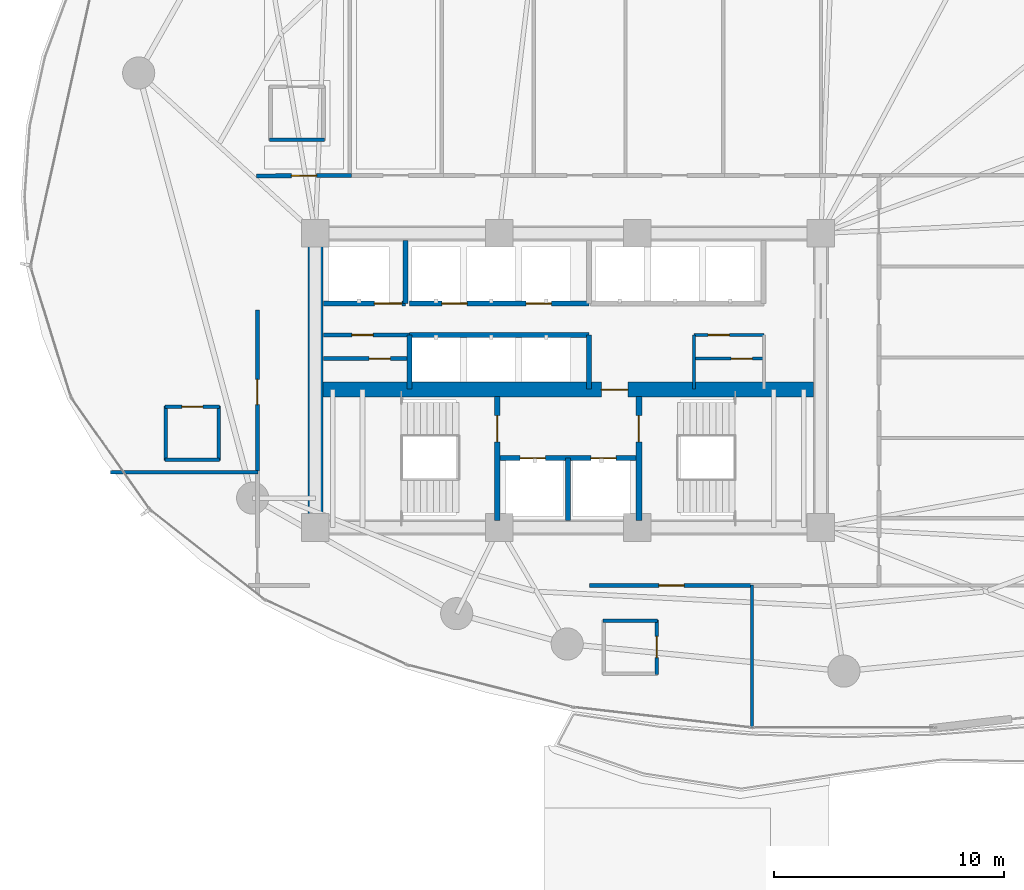
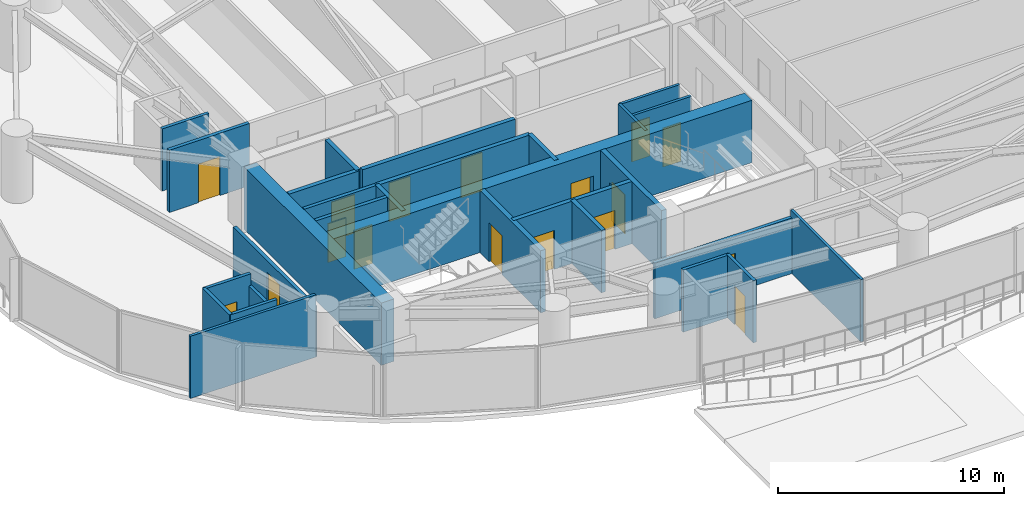
# One storey, part 25 of 32: 29 walls, 17 doors, 17 openings.
"""IFC4 building model written with IfcOpenShell, lengths in metres."""

from ifc_helpers import new_model, si_unit, direction, frame, frame_2d, origin, place, context, subcontext, project, spatial, rectangle, extrude, material, layer, layer_set, type_object, element, fill, save


model = new_model("IFC4")

# Units and contexts
model_context = context("Model", 3, precision=1e-05, world=origin(), true_north=direction((0.0, 1.0)))
body_context = subcontext(model_context, "Body", "Model", "MODEL_VIEW")
ifc_project = project(units=[si_unit("LENGTHUNIT", "METRE"), si_unit("AREAUNIT", "SQUARE_METRE"), si_unit("VOLUMEUNIT", "CUBIC_METRE"), si_unit("PLANEANGLEUNIT", "RADIAN"), si_unit("MASSUNIT", "GRAM", prefix="KILO")], contexts=[model_context])

# Site, building, storey
site_placement = place(None, origin())
site = spatial("IfcSite", under=ifc_project, at=site_placement, CompositionType="ELEMENT")
building_placement = place(site_placement, origin())
building = spatial("IfcBuilding", under=site, at=building_placement, Name="Kazevale Care Tower and Concert Hall", CompositionType="ELEMENT")
storey_placement = place(building_placement, frame((0.0, 0.0, 24.0)))
storey = spatial("IfcBuildingStorey", under=building, at=storey_placement, Name="L05", CompositionType="ELEMENT", Elevation=24.0)

# Wall
ifc_material_1 = material(Name="Acoustic Gypsum on Steel Stud", Category="steel")
ifc_layer_1 = layer(ifc_material_1, 0.139892578125)
ifc_layer_set_1 = layer_set([ifc_layer_1], Name="Acoustic Gypsum on Steel Stud")
wall_type_1 = type_object("IfcWallType", Name="Acoustic Care & Suite Partition 140", PredefinedType="PARTITIONING", material=ifc_layer_set_1)
wall_1_placement = place(storey_placement, frame((38.47998046875, 29.6201171875, 0.0), z_axis=(0.0, 0.0, 1.0), x_axis=(0.0, 1.0, 0.0)))
element("IfcWall", 1, at=wall_1_placement, inside=storey, type_object=wall_type_1, Name="wall:L05:kc_ew", PredefinedType="PARTITIONING", context=body_context, shape_type="SweptSolid", body=[
    extrude(rectangle(XDim=2.35986328125, YDim=0.139892578125, at=frame_2d((1.179931640625, 0.0))), origin(), (0.0, 0.0, 1.0), 3.360107421875),
])

# Wall, opening, door
wall_2_placement = place(storey_placement, frame((38.47998046875, 30.949951171875, 0.0), z_axis=(0.0, 0.0, 1.0), x_axis=(1.0, 0.0, 0.0)))
wall_2 = element("IfcWall", 2, at=wall_2_placement, inside=storey, type_object=wall_type_1, Name="wall:L05:kc_em", PredefinedType="PARTITIONING", context=body_context, shape_type="SweptSolid", body=[
    extrude(rectangle(XDim=3.0400390625, YDim=0.139892578125, at=frame_2d((1.52001953125, 0.0))), origin(), (0.0, 0.0, 1.0), 3.360107421875),
])
opening_1_placement = place(wall_2_placement, frame((1.616943359375, 0.0, 0.0)))
opening_1 = element("IfcOpeningElement", 3, at=opening_1_placement, cuts=wall_2, Name="Opening ID-900", PredefinedType="OPENING", context=body_context, shape_type="SweptSolid", body=[
    extrude(rectangle(XDim=0.919921875, YDim=2.10009765625, at=frame_2d((0.4599609375, 1.050048828125))), frame((0.0, 0.079833984375, 0.0), z_axis=(0.0, -1.0, 0.0), x_axis=(1.0, 0.0, 0.0)), (0.0, 0.0, 1.0), 0.159912109375),
])
ifc_material_2 = material(Name="Oak Timber Fire Leaf", Category="wood")
door_type_1 = type_object("IfcDoorType", Name="Bathroom & Service Door 920x2100", OperationType="NOTDEFINED", PredefinedType="DOOR", material=ifc_material_2)
door_1_placement = place(opening_1_placement, origin())
door_1 = element("IfcDoor", 4, at=door_1_placement, inside=storey, type_object=door_type_1, Name="door:L05:d_kceb", OperationType="SINGLE_SWING_RIGHT", OverallHeight=2.10009765625, OverallWidth=0.919921875, PredefinedType="DOOR", context=body_context, shape_type="SweptSolid", body=[
    extrude(rectangle(XDim=0.919921875, YDim=2.10009765625, at=frame_2d((0.4599609375, 1.050048828125))), frame((0.0, 0.02490234375, 0.0), z_axis=(0.0, -1.0, 0.0), x_axis=(1.0, 0.0, 0.0)), (0.0, 0.0, 1.0), 0.050048828125),
])
fill(opening_1, door_1)

wall_3_placement = place(storey_placement, frame((38.47998046875, 31.97998046875, 0.0), z_axis=(0.0, 0.0, 1.0), x_axis=(1.0, 0.0, 0.0)))
wall_3 = element("IfcWall", 5, at=wall_3_placement, inside=storey, type_object=wall_type_1, Name="wall:L05:kc_en", PredefinedType="PARTITIONING", context=body_context, shape_type="SweptSolid", body=[
    extrude(rectangle(XDim=3.0400390625, YDim=0.139892578125, at=frame_2d((1.52001953125, 0.0))), origin(), (0.0, 0.0, 1.0), 3.360107421875),
])
opening_2_placement = place(wall_3_placement, frame((0.614013671875, 0.0, 0.0)))
opening_2 = element("IfcOpeningElement", 6, at=opening_2_placement, cuts=wall_3, Name="Opening ID-900", PredefinedType="OPENING", context=body_context, shape_type="SweptSolid", body=[
    extrude(rectangle(XDim=0.919921875, YDim=2.10009765625, at=frame_2d((0.4599609375, 1.050048828125))), frame((0.0, 0.079833984375, 0.0), z_axis=(0.0, -1.0, 0.0), x_axis=(1.0, 0.0, 0.0)), (0.0, 0.0, 1.0), 0.159912109375),
])
door_2_placement = place(opening_2_placement, origin())
door_2 = element("IfcDoor", 7, at=door_2_placement, inside=storey, type_object=door_type_1, Name="door:L05:d_kcet", OperationType="SINGLE_SWING_LEFT", OverallHeight=2.10009765625, OverallWidth=0.919921875, PredefinedType="DOOR", context=body_context, shape_type="SweptSolid", body=[
    extrude(rectangle(XDim=0.919921875, YDim=2.10009765625, at=frame_2d((0.4599609375, 1.050048828125))), frame((0.0, 0.02490234375, 0.0), z_axis=(0.0, -1.0, 0.0), x_axis=(1.0, 0.0, 0.0)), (0.0, 0.0, 1.0), 0.050048828125),
])
fill(opening_2, door_2)

# Walls
wall_4_placement = place(storey_placement, frame((41.0, 21.10498046875, 0.0), z_axis=(0.0, 0.0, 1.0), x_axis=(0.0, -1.0, 0.0)))
element("IfcWall", 8, at=wall_4_placement, inside=storey, type_object=wall_type_1, Name="wall:L05:auto_030", PredefinedType="PARTITIONING", context=body_context, shape_type="SweptSolid", body=[
    extrude(rectangle(XDim=6.204833984375, YDim=0.139892578125, at=frame_2d((3.1025390625, 0.0))), origin(), (0.0, 0.0, 1.0), 3.360107421875),
])
wall_5_placement = place(storey_placement, frame((13.0869140625, 26.0, 0.0), z_axis=(0.0, 0.0, 1.0), x_axis=(1.0, 0.0, 0.0)))
element("IfcWall", 9, at=wall_5_placement, inside=storey, type_object=wall_type_1, Name="wall:L05:auto_031", PredefinedType="PARTITIONING", context=body_context, shape_type="SweptSolid", body=[
    extrude(rectangle(XDim=6.41796875, YDim=0.139892578125, at=frame_2d((3.208984375, 0.0))), origin(), (0.0, 0.0, 1.0), 3.360107421875),
])
ifc_material_3 = material(Name="Concrete C70", Category="concrete")
ifc_layer_2 = layer(ifc_material_3, 0.64990234375)
ifc_layer_set_2 = layer_set([ifc_layer_2], Name="Concrete C70")
wall_type_2 = type_object("IfcWallType", Name="Core Shear Wall 650 C70", PredefinedType="SHEAR", material=ifc_layer_set_2)
wall_6_placement = place(storey_placement, frame((22.0, 23.925048828125, 0.0), z_axis=(0.0, 0.0, 1.0), x_axis=(0.0, 1.0, 0.0)))
element("IfcWall", 10, at=wall_6_placement, inside=storey, type_object=wall_type_2, Name="wall:L05:core:W", PredefinedType="SHEAR", context=body_context, shape_type="SweptSolid", body=[
    extrude(rectangle(XDim=12.14990234375, YDim=0.64990234375, at=frame_2d((6.074951171875, 0.0))), origin(), (0.0, 0.0, 1.0), 3.360107421875),
])

# Wall, opening, door
wall_7_placement = place(storey_placement, frame((22.324951171875, 29.60009765625, 0.0), z_axis=(0.0, 0.0, 1.0), x_axis=(1.0, 0.0, 0.0)))
wall_7 = element("IfcWall", 11, at=wall_7_placement, inside=storey, type_object=wall_type_2, Name="wall:L05:core:M", PredefinedType="SHEAR", context=body_context, shape_type="SweptSolid", body=[
    extrude(rectangle(XDim=21.35009765625, YDim=0.64990234375, at=frame_2d((10.675048828125, 0.0))), origin(), (0.0, 0.0, 1.0), 3.360107421875),
])
opening_3_placement = place(wall_7_placement, frame((12.125, 0.0, 0.0)))
opening_3 = element("IfcOpeningElement", 12, at=opening_3_placement, cuts=wall_7, Name="Opening FD-90", PredefinedType="OPENING", context=body_context, shape_type="SweptSolid", body=[
    extrude(rectangle(XDim=1.14990234375, YDim=2.10009765625, at=frame_2d((0.574951171875, 1.050048828125))), frame((0.0, 0.3349609375, 0.0), z_axis=(0.0, -1.0, 0.0), x_axis=(1.0, 0.0, 0.0)), (0.0, 0.0, 1.0), 0.669921875),
])
ifc_material_4 = material(Name="Steel ASTM A572 Gr 50", Category="steel")
door_type_2 = type_object("IfcDoorType", Name="Pressurized Stair & Lobby Fire Door 1150x2100", OperationType="NOTDEFINED", PredefinedType="DOOR", material=ifc_material_4)
door_3_placement = place(opening_3_placement, origin())
door_3 = element("IfcDoor", 13, at=door_3_placement, inside=storey, type_object=door_type_2, Name="door:L05:ff_to_pax", OperationType="SINGLE_SWING_LEFT", OverallHeight=2.10009765625, OverallWidth=1.14990234375, PredefinedType="DOOR", context=body_context, shape_type="SweptSolid", body=[
    extrude(rectangle(XDim=1.14990234375, YDim=2.10009765625, at=frame_2d((0.574951171875, 1.050048828125))), frame((0.0, 0.02490234375, 0.0), z_axis=(0.0, -1.0, 0.0), x_axis=(1.0, 0.0, 0.0)), (0.0, 0.0, 1.0), 0.050048828125),
])
fill(opening_3, door_3)

# Wall, openings, doors
ifc_material_5 = material(Name="Concrete C40", Category="concrete")
ifc_layer_3 = layer(ifc_material_5, 0.219970703125)
ifc_layer_set_3 = layer_set([ifc_layer_3], Name="Concrete C40")
wall_type_3 = type_object("IfcWallType", Name="Elevator Hoistway Shaft Wall 220", PredefinedType="SOLIDWALL", material=ifc_layer_set_3)
wall_8_placement = place(storey_placement, frame((29.919921875, 26.6201171875, 0.0), z_axis=(0.0, 0.0, 1.0), x_axis=(1.0, 0.0, 0.0)))
wall_8 = element("IfcWall", 14, at=wall_8_placement, inside=storey, type_object=wall_type_3, Name="wall:L05:c_ffl_n", PredefinedType="SOLIDWALL", context=body_context, shape_type="SweptSolid", body=[
    extrude(rectangle(XDim=6.16015625, YDim=0.219970703125, at=frame_2d((3.080078125, 0.0))), origin(), (0.0, 0.0, 1.0), 3.360107421875),
])
opening_4_placement = place(wall_8_placement, frame((0.989990234375, 0.0, 0.0)))
opening_4 = element("IfcOpeningElement", 15, at=opening_4_placement, cuts=wall_8, Name="Opening LD-FF", PredefinedType="OPENING", context=body_context, shape_type="SweptSolid", body=[
    extrude(rectangle(XDim=1.10009765625, YDim=2.10009765625, at=frame_2d((0.550048828125, 1.050048828125))), frame((0.0, 0.119873046875, 0.0), z_axis=(0.0, -1.0, 0.0), x_axis=(1.0, 0.0, 0.0)), (0.0, 0.0, 1.0), 0.239990234375),
])
opening_5_placement = place(wall_8_placement, frame((4.070068359375, 0.0, 0.0)))
opening_5 = element("IfcOpeningElement", 16, at=opening_5_placement, cuts=wall_8, Name="Opening LD-FF", PredefinedType="OPENING", context=body_context, shape_type="SweptSolid", body=[
    extrude(rectangle(XDim=1.10009765625, YDim=2.10009765625, at=frame_2d((0.550048828125, 1.050048828125))), frame((0.0, 0.119873046875, 0.0), z_axis=(0.0, -1.0, 0.0), x_axis=(1.0, 0.0, 0.0)), (0.0, 0.0, 1.0), 0.239990234375),
])
ifc_material_6 = material(Name="Stainless Steel 316", Category="steel")
door_type_3 = type_object("IfcDoorType", Name="Emergency Lift Sliding Landing Door 1100x2100", OperationType="NOTDEFINED", PredefinedType="DOOR", material=ifc_material_6)
door_4_placement = place(opening_4_placement, origin())
door_4 = element("IfcDoor", 17, at=door_4_placement, inside=storey, type_object=door_type_3, Name="door:L05:ld_ffl1", OperationType="SLIDING_TO_LEFT", OverallHeight=2.10009765625, OverallWidth=1.10009765625, PredefinedType="DOOR", context=body_context, shape_type="SweptSolid", body=[
    extrude(rectangle(XDim=1.10009765625, YDim=2.10009765625, at=frame_2d((0.550048828125, 1.050048828125))), frame((0.0, 0.02490234375, 0.0), z_axis=(0.0, -1.0, 0.0), x_axis=(1.0, 0.0, 0.0)), (0.0, 0.0, 1.0), 0.050048828125),
])
fill(opening_4, door_4)
door_5_placement = place(opening_5_placement, origin())
door_5 = element("IfcDoor", 18, at=door_5_placement, inside=storey, type_object=door_type_3, Name="door:L05:ld_ffl2", OperationType="SLIDING_TO_RIGHT", OverallHeight=2.10009765625, OverallWidth=1.10009765625, PredefinedType="DOOR", context=body_context, shape_type="SweptSolid", body=[
    extrude(rectangle(XDim=1.10009765625, YDim=2.10009765625, at=frame_2d((0.550048828125, 1.050048828125))), frame((0.0, 0.02490234375, 0.0), z_axis=(0.0, -1.0, 0.0), x_axis=(1.0, 0.0, 0.0)), (0.0, 0.0, 1.0), 0.050048828125),
])
fill(opening_5, door_5)

# Walls
wall_9_placement = place(storey_placement, frame((33.0, 23.89990234375, 0.0), z_axis=(0.0, 0.0, 1.0), x_axis=(0.0, 1.0, 0.0)))
element("IfcWall", 19, at=wall_9_placement, inside=storey, type_object=wall_type_3, Name="wall:L05:c_ffl_m", PredefinedType="SOLIDWALL", context=body_context, shape_type="SweptSolid", body=[
    extrude(rectangle(XDim=2.72021484375, YDim=0.219970703125, at=frame_2d((1.360107421875, 0.0))), origin(), (0.0, 0.0, 1.0), 3.360107421875),
])
wall_10_placement = place(storey_placement, frame((25.919921875, 33.35009765625, 0.0), z_axis=(0.0, 0.0, 1.0), x_axis=(0.0, 1.0, 0.0)))
element("IfcWall", 20, at=wall_10_placement, inside=storey, type_object=wall_type_3, Name="wall:L05:c_svl_e", PredefinedType="SOLIDWALL", context=body_context, shape_type="SweptSolid", body=[
    extrude(rectangle(XDim=2.72998046875, YDim=0.219970703125, at=frame_2d((1.364990234375, 0.0))), origin(), (0.0, 0.0, 1.0), 3.360107421875),
])

# Wall, opening, door
wall_11_placement = place(storey_placement, frame((22.35009765625, 33.35009765625, 0.0), z_axis=(0.0, 0.0, 1.0), x_axis=(1.0, 0.0, 0.0)))
wall_11 = element("IfcWall", 21, at=wall_11_placement, inside=storey, type_object=wall_type_3, Name="wall:L05:c_svl_s", PredefinedType="SOLIDWALL", context=body_context, shape_type="SweptSolid", body=[
    extrude(rectangle(XDim=3.56982421875, YDim=0.219970703125, at=frame_2d((1.784912109375, 0.0))), origin(), (0.0, 0.0, 1.0), 3.360107421875),
])
opening_6_placement = place(wall_11_placement, frame((2.212890625, 0.0, 0.0)))
opening_6 = element("IfcOpeningElement", 22, at=opening_6_placement, cuts=wall_11, Name="Opening LD-SV", PredefinedType="OPENING", context=body_context, shape_type="SweptSolid", body=[
    extrude(rectangle(XDim=1.199951171875, YDim=2.10009765625, at=frame_2d((0.60009765625, 1.050048828125))), frame((0.0, 0.119873046875, 0.0), z_axis=(0.0, -1.0, 0.0), x_axis=(1.0, 0.0, 0.0)), (0.0, 0.0, 1.0), 0.239990234375),
])
door_type_4 = type_object("IfcDoorType", Name="Service Lift Sliding Landing Door 1200x2100", OperationType="NOTDEFINED", PredefinedType="DOOR", material=ifc_material_6)
door_6_placement = place(opening_6_placement, origin())
door_6 = element("IfcDoor", 23, at=door_6_placement, inside=storey, type_object=door_type_4, Name="door:L05:ld_svl1", OperationType="SLIDING_TO_LEFT", OverallHeight=2.10009765625, OverallWidth=1.199951171875, PredefinedType="DOOR", context=body_context, shape_type="SweptSolid", body=[
    extrude(rectangle(XDim=1.199951171875, YDim=2.10009765625, at=frame_2d((0.60009765625, 1.050048828125))), frame((0.0, 0.02490234375, 0.0), z_axis=(0.0, -1.0, 0.0), x_axis=(1.0, 0.0, 0.0)), (0.0, 0.0, 1.0), 0.050048828125),
])
fill(opening_6, door_6)

# Walls
wall_12_placement = place(storey_placement, frame((26.10009765625, 29.6201171875, 0.0), z_axis=(0.0, 0.0, 1.0), x_axis=(0.0, 1.0, 0.0)))
element("IfcWall", 24, at=wall_12_placement, inside=storey, type_object=wall_type_3, Name="wall:L05:c_ph_w", PredefinedType="SOLIDWALL", context=body_context, shape_type="SweptSolid", body=[
    extrude(rectangle(XDim=2.35986328125, YDim=0.219970703125, at=frame_2d((1.179931640625, 0.0))), origin(), (0.0, 0.0, 1.0), 3.360107421875),
])
wall_13_placement = place(storey_placement, frame((26.10009765625, 31.97998046875, 0.0), z_axis=(0.0, 0.0, 1.0), x_axis=(1.0, 0.0, 0.0)))
element("IfcWall", 25, at=wall_13_placement, inside=storey, type_object=wall_type_3, Name="wall:L05:c_ph_n", PredefinedType="SOLIDWALL", context=body_context, shape_type="SweptSolid", body=[
    extrude(rectangle(XDim=7.7998046875, YDim=0.219970703125, at=frame_2d((3.89990234375, 0.0))), origin(), (0.0, 0.0, 1.0), 3.360107421875),
])
wall_14_placement = place(storey_placement, frame((33.89990234375, 29.6201171875, 0.0), z_axis=(0.0, 0.0, 1.0), x_axis=(0.0, 1.0, 0.0)))
element("IfcWall", 26, at=wall_14_placement, inside=storey, type_object=wall_type_3, Name="wall:L05:c_ph_e", PredefinedType="SOLIDWALL", context=body_context, shape_type="SweptSolid", body=[
    extrude(rectangle(XDim=2.35986328125, YDim=0.219970703125, at=frame_2d((1.179931640625, 0.0))), origin(), (0.0, 0.0, 1.0), 3.360107421875),
])

# Wall, openings, doors
wall_15_placement = place(storey_placement, frame((26.10009765625, 33.35009765625, 0.0), z_axis=(0.0, 0.0, 1.0), x_axis=(1.0, 0.0, 0.0)))
wall_15 = element("IfcWall", 27, at=wall_15_placement, inside=storey, type_object=wall_type_3, Name="wall:L05:c_pl_s", PredefinedType="SOLIDWALL", context=body_context, shape_type="SweptSolid", body=[
    extrude(rectangle(XDim=7.7998046875, YDim=0.219970703125, at=frame_2d((3.89990234375, 0.0))), origin(), (0.0, 0.0, 1.0), 3.360107421875),
])
opening_7_placement = place(wall_15_placement, frame((1.39990234375, 0.0, 0.0)))
opening_7 = element("IfcOpeningElement", 28, at=opening_7_placement, cuts=wall_15, Name="Opening LD-PAX", PredefinedType="OPENING", context=body_context, shape_type="SweptSolid", body=[
    extrude(rectangle(XDim=1.10009765625, YDim=2.10009765625, at=frame_2d((0.550048828125, 1.050048828125))), frame((0.0, 0.119873046875, 0.0), z_axis=(0.0, -1.0, 0.0), x_axis=(1.0, 0.0, 0.0)), (0.0, 0.0, 1.0), 0.239990234375),
])
opening_8_placement = place(wall_15_placement, frame((5.06591796875, 0.0, 0.0)))
opening_8 = element("IfcOpeningElement", 29, at=opening_8_placement, cuts=wall_15, Name="Opening LD-PAX", PredefinedType="OPENING", context=body_context, shape_type="SweptSolid", body=[
    extrude(rectangle(XDim=1.10009765625, YDim=2.10009765625, at=frame_2d((0.550048828125, 1.050048828125))), frame((0.0, 0.119873046875, 0.0), z_axis=(0.0, -1.0, 0.0), x_axis=(1.0, 0.0, 0.0)), (0.0, 0.0, 1.0), 0.239990234375),
])
door_type_5 = type_object("IfcDoorType", Name="Passenger Lift Sliding Landing Door 1100x2100", OperationType="NOTDEFINED", PredefinedType="DOOR", material=ifc_material_6)
door_7_placement = place(opening_7_placement, origin())
door_7 = element("IfcDoor", 30, at=door_7_placement, inside=storey, type_object=door_type_5, Name="door:L05:ld_pl1", OperationType="SLIDING_TO_LEFT", OverallHeight=2.10009765625, OverallWidth=1.10009765625, PredefinedType="DOOR", context=body_context, shape_type="SweptSolid", body=[
    extrude(rectangle(XDim=1.10009765625, YDim=2.10009765625, at=frame_2d((0.550048828125, 1.050048828125))), frame((0.0, 0.02490234375, 0.0), z_axis=(0.0, -1.0, 0.0), x_axis=(1.0, 0.0, 0.0)), (0.0, 0.0, 1.0), 0.050048828125),
])
fill(opening_7, door_7)
door_8_placement = place(opening_8_placement, origin())
door_8 = element("IfcDoor", 31, at=door_8_placement, inside=storey, type_object=door_type_5, Name="door:L05:ld_pl2", OperationType="SLIDING_TO_RIGHT", OverallHeight=2.10009765625, OverallWidth=1.10009765625, PredefinedType="DOOR", context=body_context, shape_type="SweptSolid", body=[
    extrude(rectangle(XDim=1.10009765625, YDim=2.10009765625, at=frame_2d((0.550048828125, 1.050048828125))), frame((0.0, 0.02490234375, 0.0), z_axis=(0.0, -1.0, 0.0), x_axis=(1.0, 0.0, 0.0)), (0.0, 0.0, 1.0), 0.050048828125),
])
fill(opening_8, door_8)

# Wall, opening, door
ifc_material_7 = material(Name="Concrete C40 and Acoustic Gypsum", Category="concrete")
ifc_layer_4 = layer(ifc_material_7, 0.179931640625)
ifc_layer_set_4 = layer_set([ifc_layer_4], Name="Concrete C40 and Acoustic Gypsum")
wall_type_4 = type_object("IfcWallType", Name="Fire-Rated Corridor & Party Wall 180", PredefinedType="PARTITIONING", material=ifc_layer_set_4)
wall_16_placement = place(storey_placement, frame((22.35009765625, 30.949951171875, 0.0), z_axis=(0.0, 0.0, 1.0), x_axis=(1.0, 0.0, 0.0)))
wall_16 = element("IfcWall", 32, at=wall_16_placement, inside=storey, type_object=wall_type_4, Name="wall:L05:kc_wm", PredefinedType="PARTITIONING", context=body_context, shape_type="SweptSolid", body=[
    extrude(rectangle(XDim=3.75, YDim=0.179931640625, at=frame_2d((1.875, 0.0))), origin(), (0.0, 0.0, 1.0), 3.360107421875),
])
opening_9_placement = place(wall_16_placement, frame((1.988037109375, 0.0, 0.0)))
opening_9 = element("IfcOpeningElement", 33, at=opening_9_placement, cuts=wall_16, Name="Opening ID-900", PredefinedType="OPENING", context=body_context, shape_type="SweptSolid", body=[
    extrude(rectangle(XDim=0.919921875, YDim=2.10009765625, at=frame_2d((0.4599609375, 1.050048828125))), frame((0.0, 0.099853515625, 0.0), z_axis=(0.0, -1.0, 0.0), x_axis=(1.0, 0.0, 0.0)), (0.0, 0.0, 1.0), 0.199951171875),
])
door_9_placement = place(opening_9_placement, origin())
door_9 = element("IfcDoor", 34, at=door_9_placement, inside=storey, type_object=door_type_1, Name="door:L05:d_kcwb", OperationType="SINGLE_SWING_RIGHT", OverallHeight=2.10009765625, OverallWidth=0.919921875, PredefinedType="DOOR", context=body_context, shape_type="SweptSolid", body=[
    extrude(rectangle(XDim=0.919921875, YDim=2.10009765625, at=frame_2d((0.4599609375, 1.050048828125))), frame((0.0, 0.02490234375, 0.0), z_axis=(0.0, -1.0, 0.0), x_axis=(1.0, 0.0, 0.0)), (0.0, 0.0, 1.0), 0.050048828125),
])
fill(opening_9, door_9)

wall_17_placement = place(storey_placement, frame((22.35009765625, 31.97998046875, 0.0), z_axis=(0.0, 0.0, 1.0), x_axis=(1.0, 0.0, 0.0)))
wall_17 = element("IfcWall", 35, at=wall_17_placement, inside=storey, type_object=wall_type_4, Name="wall:L05:kc_wn", PredefinedType="PARTITIONING", context=body_context, shape_type="SweptSolid", body=[
    extrude(rectangle(XDim=3.75, YDim=0.179931640625, at=frame_2d((1.875, 0.0))), origin(), (0.0, 0.0, 1.0), 3.360107421875),
])
opening_10_placement = place(wall_17_placement, frame((1.238037109375, 0.0, 0.0)))
opening_10 = element("IfcOpeningElement", 36, at=opening_10_placement, cuts=wall_17, Name="Opening ID-900", PredefinedType="OPENING", context=body_context, shape_type="SweptSolid", body=[
    extrude(rectangle(XDim=0.919921875, YDim=2.10009765625, at=frame_2d((0.4599609375, 1.050048828125))), frame((0.0, 0.099853515625, 0.0), z_axis=(0.0, -1.0, 0.0), x_axis=(1.0, 0.0, 0.0)), (0.0, 0.0, 1.0), 0.199951171875),
])
door_10_placement = place(opening_10_placement, origin())
door_10 = element("IfcDoor", 37, at=door_10_placement, inside=storey, type_object=door_type_1, Name="door:L05:d_kcwt", OperationType="SINGLE_SWING_LEFT", OverallHeight=2.10009765625, OverallWidth=0.919921875, PredefinedType="DOOR", context=body_context, shape_type="SweptSolid", body=[
    extrude(rectangle(XDim=0.919921875, YDim=2.10009765625, at=frame_2d((0.4599609375, 1.050048828125))), frame((0.0, 0.02490234375, 0.0), z_axis=(0.0, -1.0, 0.0), x_axis=(1.0, 0.0, 0.0)), (0.0, 0.0, 1.0), 0.050048828125),
])
fill(opening_10, door_10)

wall_18_placement = place(storey_placement, frame((19.445068359375, 38.89990234375, 0.0), z_axis=(0.0, 0.0, 1.0), x_axis=(0.999981372921, 0.00610359001, 0.0)))
wall_18 = element("IfcWall", 38, at=wall_18_placement, inside=storey, type_object=wall_type_4, Name="wall:L05:auto_001", PredefinedType="PARTITIONING", context=body_context, shape_type="SweptSolid", body=[
    extrude(rectangle(XDim=4.119873046875, YDim=0.179931640625, at=frame_2d((2.06005859375, 0.0))), origin(), (0.0, 0.0, 1.0), 3.360107421875),
])
opening_11_placement = place(wall_18_placement, frame((1.510009765625, 0.0, 0.0)))
opening_11 = element("IfcOpeningElement", 39, at=opening_11_placement, cuts=wall_18, Name="Opening ID-1100", PredefinedType="OPENING", context=body_context, shape_type="SweptSolid", body=[
    extrude(rectangle(XDim=1.10009765625, YDim=2.10009765625, at=frame_2d((0.550048828125, 1.050048828125))), frame((0.0, 0.099853515625, 0.0), z_axis=(0.0, -1.0, 0.0), x_axis=(1.0, 0.0, 0.0)), (0.0, 0.0, 1.0), 0.199951171875),
])
door_type_6 = type_object("IfcDoorType", Name="Care Bedroom Accessible Door 1100x2100", OperationType="NOTDEFINED", PredefinedType="DOOR", material=ifc_material_2)
door_11_placement = place(opening_11_placement, origin())
door_11 = element("IfcDoor", 40, at=door_11_placement, inside=storey, type_object=door_type_6, Name="door:L05:ad_001", OperationType="SINGLE_SWING_LEFT", OverallHeight=2.10009765625, OverallWidth=1.10009765625, PredefinedType="DOOR", context=body_context, shape_type="SweptSolid", body=[
    extrude(rectangle(XDim=1.10009765625, YDim=2.10009765625, at=frame_2d((0.550048828125, 1.050048828125))), frame((0.0, 0.02490234375, 0.0), z_axis=(0.0, -1.0, 0.0), x_axis=(1.0, 0.0, 0.0)), (0.0, 0.0, 1.0), 0.050048828125),
])
fill(opening_11, door_11)

wall_19_placement = place(storey_placement, frame((41.06494140625, 21.074951171875, 0.0), z_axis=(0.0, 0.0, 1.0), x_axis=(-1.0, 0.0, 0.0)))
wall_19 = element("IfcWall", 41, at=wall_19_placement, inside=storey, type_object=wall_type_4, Name="wall:L05:auto_013", PredefinedType="PARTITIONING", context=body_context, shape_type="SweptSolid", body=[
    extrude(rectangle(XDim=7.1298828125, YDim=0.179931640625, at=frame_2d((3.56494140625, 0.0))), origin(), (0.0, 0.0, 1.0), 2.99609375),
])
opening_12_placement = place(wall_19_placement, frame((3.014892578125, 0.0, 0.0)))
opening_12 = element("IfcOpeningElement", 42, at=opening_12_placement, cuts=wall_19, Name="Opening ID-1100", PredefinedType="OPENING", context=body_context, shape_type="SweptSolid", body=[
    extrude(rectangle(XDim=1.10009765625, YDim=2.10009765625, at=frame_2d((0.550048828125, 1.050048828125))), frame((0.0, 0.099853515625, 0.0), z_axis=(0.0, -1.0, 0.0), x_axis=(1.0, 0.0, 0.0)), (0.0, 0.0, 1.0), 0.199951171875),
])
door_12_placement = place(opening_12_placement, origin())
door_12 = element("IfcDoor", 43, at=door_12_placement, inside=storey, type_object=door_type_6, Name="door:L05:ad_013", OperationType="SINGLE_SWING_LEFT", OverallHeight=2.10009765625, OverallWidth=1.10009765625, PredefinedType="DOOR", context=body_context, shape_type="SweptSolid", body=[
    extrude(rectangle(XDim=1.10009765625, YDim=2.10009765625, at=frame_2d((0.550048828125, 1.050048828125))), frame((0.0, 0.02490234375, 0.0), z_axis=(0.0, -1.0, 0.0), x_axis=(1.0, 0.0, 0.0)), (0.0, 0.0, 1.0), 0.050048828125),
])
fill(opening_12, door_12)

wall_20_placement = place(storey_placement, frame((19.47509765625, 25.93505859375, 0.0), z_axis=(0.0, 0.0, 1.0), x_axis=(0.0, 1.0, 0.0)))
wall_20 = element("IfcWall", 44, at=wall_20_placement, inside=storey, type_object=wall_type_4, Name="wall:L05:auto_017", PredefinedType="PARTITIONING", context=body_context, shape_type="SweptSolid", body=[
    extrude(rectangle(XDim=7.1298828125, YDim=0.179931640625, at=frame_2d((3.56494140625, 0.0))), origin(), (0.0, 0.0, 1.0), 2.738037109375),
])
opening_13_placement = place(wall_20_placement, frame((3.014892578125, 0.0, 0.0)))
opening_13 = element("IfcOpeningElement", 45, at=opening_13_placement, cuts=wall_20, Name="Opening ID-1100", PredefinedType="OPENING", context=body_context, shape_type="SweptSolid", body=[
    extrude(rectangle(XDim=1.10009765625, YDim=2.10009765625, at=frame_2d((0.550048828125, 1.050048828125))), frame((0.0, 0.099853515625, 0.0), z_axis=(0.0, -1.0, 0.0), x_axis=(1.0, 0.0, 0.0)), (0.0, 0.0, 1.0), 0.199951171875),
])
door_13_placement = place(opening_13_placement, origin())
door_13 = element("IfcDoor", 46, at=door_13_placement, inside=storey, type_object=door_type_6, Name="door:L05:ad_017", OperationType="SINGLE_SWING_LEFT", OverallHeight=2.10009765625, OverallWidth=1.10009765625, PredefinedType="DOOR", context=body_context, shape_type="SweptSolid", body=[
    extrude(rectangle(XDim=1.10009765625, YDim=2.10009765625, at=frame_2d((0.550048828125, 1.050048828125))), frame((0.0, 0.02490234375, 0.0), z_axis=(0.0, -1.0, 0.0), x_axis=(1.0, 0.0, 0.0)), (0.0, 0.0, 1.0), 0.050048828125),
])
fill(opening_13, door_13)

# Walls
ifc_layer_5 = layer(ifc_material_1, 0.159912109375)
ifc_layer_set_5 = layer_set([ifc_layer_5], Name="Acoustic Gypsum on Steel Stud")
wall_type_5 = type_object("IfcWallType", Name="Moisture-Resistant Bathroom Plumbing Wall 160", PredefinedType="PLUMBINGWALL", material=ifc_layer_set_5)
for number, where, z_axis, x_axis, name in (
    (47, (20.010009765625, 40.47509765625, 0.0), (0.0, 0.0, 1.0), (1.0, 0.0, 0.0), "wall:L05:nb2a_ens_ws"),
    (48, (34.510009765625, 19.5390625, 0.0), (0.0, 0.0, 1.0), (1.0, 0.0, 0.0), "wall:L05:sb2a_ens_wn"),
):
    element("IfcWall", number, at=place(storey_placement, frame(where, z_axis=z_axis, x_axis=x_axis)), inside=storey, type_object=wall_type_5, Name=name, PredefinedType="PLUMBINGWALL", context=body_context, shape_type="SweptSolid", body=[
        extrude(rectangle(XDim=2.3798828125, YDim=0.159912109375, at=frame_2d((1.18994140625, 0.0))), origin(), (0.0, 0.0, 1.0), 3.360107421875),
    ])

# Wall, opening, door
wall_21_placement = place(storey_placement, frame((36.85009765625, 17.198974609375, 0.0), z_axis=(0.0, 0.0, 1.0), x_axis=(0.0, 1.0, 0.0)))
wall_21 = element("IfcWall", 49, at=wall_21_placement, inside=storey, type_object=wall_type_5, Name="wall:L05:sb2a_ens_we", PredefinedType="PLUMBINGWALL", context=body_context, shape_type="SweptSolid", body=[
    extrude(rectangle(XDim=2.380126953125, YDim=0.159912109375, at=frame_2d((1.18994140625, 0.0))), origin(), (0.0, 0.0, 1.0), 3.360107421875),
])
opening_14_placement = place(wall_21_placement, frame((0.739990234375, 0.0, 0.0)))
opening_14 = element("IfcOpeningElement", 50, at=opening_14_placement, cuts=wall_21, Name="Opening ID-900", PredefinedType="OPENING", context=body_context, shape_type="SweptSolid", body=[
    extrude(rectangle(XDim=0.919921875, YDim=2.10009765625, at=frame_2d((0.4599609375, 1.050048828125))), frame((0.0, 0.08984375, 0.0), z_axis=(0.0, -1.0, 0.0), x_axis=(1.0, 0.0, 0.0)), (0.0, 0.0, 1.0), 0.179931640625),
])
door_14_placement = place(opening_14_placement, origin())
door_14 = element("IfcDoor", 51, at=door_14_placement, inside=storey, type_object=door_type_1, Name="door:L05:sb2a_ens_d", OperationType="SINGLE_SWING_LEFT", OverallHeight=2.10009765625, OverallWidth=0.919921875, PredefinedType="DOOR", context=body_context, shape_type="SweptSolid", body=[
    extrude(rectangle(XDim=0.919921875, YDim=2.10009765625, at=frame_2d((0.4599609375, 1.050048828125))), frame((0.0, 0.02490234375, 0.0), z_axis=(0.0, -1.0, 0.0), x_axis=(1.0, 0.0, 0.0)), (0.0, 0.0, 1.0), 0.050048828125),
])
fill(opening_14, door_14)

# Wall
wall_22_placement = place(storey_placement, frame((15.447998046875, 26.550048828125, 0.0), z_axis=(0.0, 0.0, 1.0), x_axis=(1.0, 0.0, 0.0)))
element("IfcWall", 52, at=wall_22_placement, inside=storey, type_object=wall_type_5, Name="wall:L05:wb2_ens_ws", PredefinedType="PLUMBINGWALL", context=body_context, shape_type="SweptSolid", body=[
    extrude(rectangle(XDim=2.3798828125, YDim=0.159912109375, at=frame_2d((1.18994140625, 0.0))), origin(), (0.0, 0.0, 1.0), 3.360107421875),
])

# Wall, opening, door
wall_23_placement = place(storey_placement, frame((15.447998046875, 28.85009765625, 0.0), z_axis=(0.0, 0.0, 1.0), x_axis=(1.0, 0.0, 0.0)))
wall_23 = element("IfcWall", 53, at=wall_23_placement, inside=storey, type_object=wall_type_5, Name="wall:L05:wb2_ens_wn", PredefinedType="PLUMBINGWALL", context=body_context, shape_type="SweptSolid", body=[
    extrude(rectangle(XDim=2.3798828125, YDim=0.159912109375, at=frame_2d((1.18994140625, 0.0))), origin(), (0.0, 0.0, 1.0), 3.360107421875),
])
opening_15_placement = place(wall_23_placement, frame((0.739990234375, 0.0, 0.0)))
opening_15 = element("IfcOpeningElement", 54, at=opening_15_placement, cuts=wall_23, Name="Opening ID-900", PredefinedType="OPENING", context=body_context, shape_type="SweptSolid", body=[
    extrude(rectangle(XDim=0.919921875, YDim=2.10009765625, at=frame_2d((0.4599609375, 1.050048828125))), frame((0.0, 0.08984375, 0.0), z_axis=(0.0, -1.0, 0.0), x_axis=(1.0, 0.0, 0.0)), (0.0, 0.0, 1.0), 0.179931640625),
])
door_15_placement = place(opening_15_placement, origin())
door_15 = element("IfcDoor", 55, at=door_15_placement, inside=storey, type_object=door_type_1, Name="door:L05:wb2_ens_d", OperationType="SINGLE_SWING_LEFT", OverallHeight=2.10009765625, OverallWidth=0.919921875, PredefinedType="DOOR", context=body_context, shape_type="SweptSolid", body=[
    extrude(rectangle(XDim=0.919921875, YDim=2.10009765625, at=frame_2d((0.4599609375, 1.050048828125))), frame((0.0, 0.02490234375, 0.0), z_axis=(0.0, -1.0, 0.0), x_axis=(1.0, 0.0, 0.0)), (0.0, 0.0, 1.0), 0.050048828125),
])
fill(opening_15, door_15)

# Walls
wall_24_placement = place(storey_placement, frame((15.488037109375, 26.510009765625, 0.0), z_axis=(0.0, 0.0, 1.0), x_axis=(0.0, 1.0, 0.0)))
element("IfcWall", 56, at=wall_24_placement, inside=storey, type_object=wall_type_5, Name="wall:L05:wb2_ens_ww", PredefinedType="PLUMBINGWALL", context=body_context, shape_type="SweptSolid", body=[
    extrude(rectangle(XDim=2.3798828125, YDim=0.159912109375, at=frame_2d((1.18994140625, 0.0))), origin(), (0.0, 0.0, 1.0), 3.360107421875),
])
wall_25_placement = place(storey_placement, frame((17.7880859375, 26.510009765625, 0.0), z_axis=(0.0, 0.0, 1.0), x_axis=(0.0, 1.0, 0.0)))
element("IfcWall", 57, at=wall_25_placement, inside=storey, type_object=wall_type_5, Name="wall:L05:wb2_ens_we", PredefinedType="PLUMBINGWALL", context=body_context, shape_type="SweptSolid", body=[
    extrude(rectangle(XDim=2.3798828125, YDim=0.159912109375, at=frame_2d((1.18994140625, 0.0))), origin(), (0.0, 0.0, 1.0), 2.738037109375),
])

# Wall, opening, door
ifc_layer_6 = layer(ifc_material_5, 0.25)
ifc_layer_set_6 = layer_set([ifc_layer_6], Name="Concrete C40")
wall_type_6 = type_object("IfcWallType", Name="Pressurized Stair Shaft Wall 250", PredefinedType="SOLIDWALL", material=ifc_layer_set_6)
wall_26_placement = place(storey_placement, frame((29.919921875, 23.89990234375, 0.0), z_axis=(0.0, 0.0, 1.0), x_axis=(0.0, 1.0, 0.0)))
wall_26 = element("IfcWall", 58, at=wall_26_placement, inside=storey, type_object=wall_type_6, Name="wall:L05:c_st1_e", PredefinedType="SOLIDWALL", context=body_context, shape_type="SweptSolid", body=[
    extrude(rectangle(XDim=5.400146484375, YDim=0.25, at=frame_2d((2.7001953125, 0.0))), origin(), (0.0, 0.0, 1.0), 3.360107421875),
])
opening_16_placement = place(wall_26_placement, frame((3.4208984375, 0.0, 0.0)))
opening_16 = element("IfcOpeningElement", 59, at=opening_16_placement, cuts=wall_26, Name="Opening FD-90", PredefinedType="OPENING", context=body_context, shape_type="SweptSolid", body=[
    extrude(rectangle(XDim=1.14990234375, YDim=2.10009765625, at=frame_2d((0.574951171875, 1.050048828125))), frame((0.0, 0.135009765625, 0.0), z_axis=(0.0, -1.0, 0.0), x_axis=(1.0, 0.0, 0.0)), (0.0, 0.0, 1.0), 0.27001953125),
])
door_16_placement = place(opening_16_placement, origin())
door_16 = element("IfcDoor", 60, at=door_16_placement, inside=storey, type_object=door_type_2, Name="door:L05:st1", OperationType="SINGLE_SWING_RIGHT", OverallHeight=2.10009765625, OverallWidth=1.14990234375, PredefinedType="DOOR", context=body_context, shape_type="SweptSolid", body=[
    extrude(rectangle(XDim=1.14990234375, YDim=2.10009765625, at=frame_2d((0.574951171875, 1.050048828125))), frame((0.0, 0.02490234375, 0.0), z_axis=(0.0, -1.0, 0.0), x_axis=(1.0, 0.0, 0.0)), (0.0, 0.0, 1.0), 0.050048828125),
])
fill(opening_16, door_16)

wall_27_placement = place(storey_placement, frame((36.080078125, 23.89990234375, 0.0), z_axis=(0.0, 0.0, 1.0), x_axis=(0.0, 1.0, 0.0)))
wall_27 = element("IfcWall", 61, at=wall_27_placement, inside=storey, type_object=wall_type_6, Name="wall:L05:c_st2_w", PredefinedType="SOLIDWALL", context=body_context, shape_type="SweptSolid", body=[
    extrude(rectangle(XDim=5.400146484375, YDim=0.25, at=frame_2d((2.7001953125, 0.0))), origin(), (0.0, 0.0, 1.0), 3.360107421875),
])
opening_17_placement = place(wall_27_placement, frame((3.4208984375, 0.0, 0.0)))
opening_17 = element("IfcOpeningElement", 62, at=opening_17_placement, cuts=wall_27, Name="Opening FD-90", PredefinedType="OPENING", context=body_context, shape_type="SweptSolid", body=[
    extrude(rectangle(XDim=1.14990234375, YDim=2.10009765625, at=frame_2d((0.574951171875, 1.050048828125))), frame((0.0, 0.135009765625, 0.0), z_axis=(0.0, -1.0, 0.0), x_axis=(1.0, 0.0, 0.0)), (0.0, 0.0, 1.0), 0.27001953125),
])
door_17_placement = place(opening_17_placement, origin())
door_17 = element("IfcDoor", 63, at=door_17_placement, inside=storey, type_object=door_type_2, Name="door:L05:st2", OperationType="SINGLE_SWING_LEFT", OverallHeight=2.10009765625, OverallWidth=1.14990234375, PredefinedType="DOOR", context=body_context, shape_type="SweptSolid", body=[
    extrude(rectangle(XDim=1.14990234375, YDim=2.10009765625, at=frame_2d((0.574951171875, 1.050048828125))), frame((0.0, 0.02490234375, 0.0), z_axis=(0.0, -1.0, 0.0), x_axis=(1.0, 0.0, 0.0)), (0.0, 0.0, 1.0), 0.050048828125),
])
fill(opening_17, door_17)

save(model, "model.ifc")
